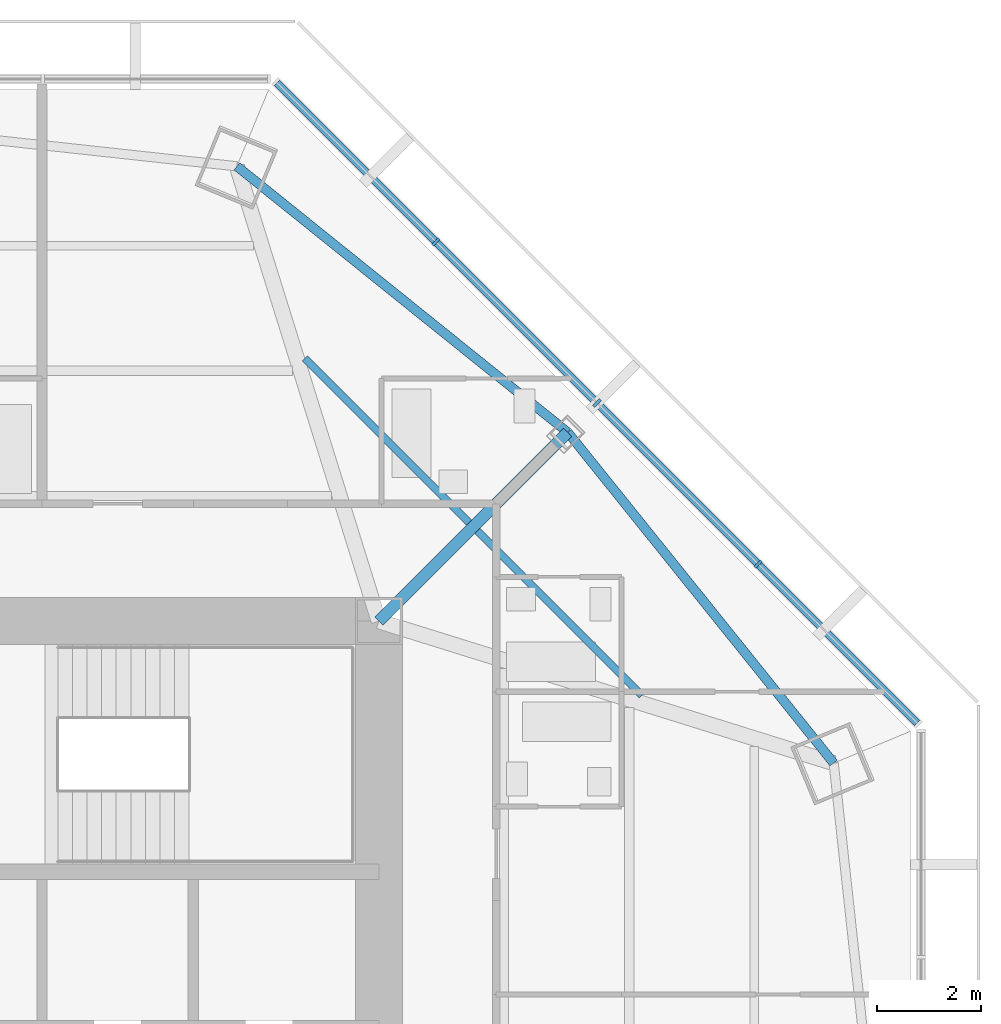
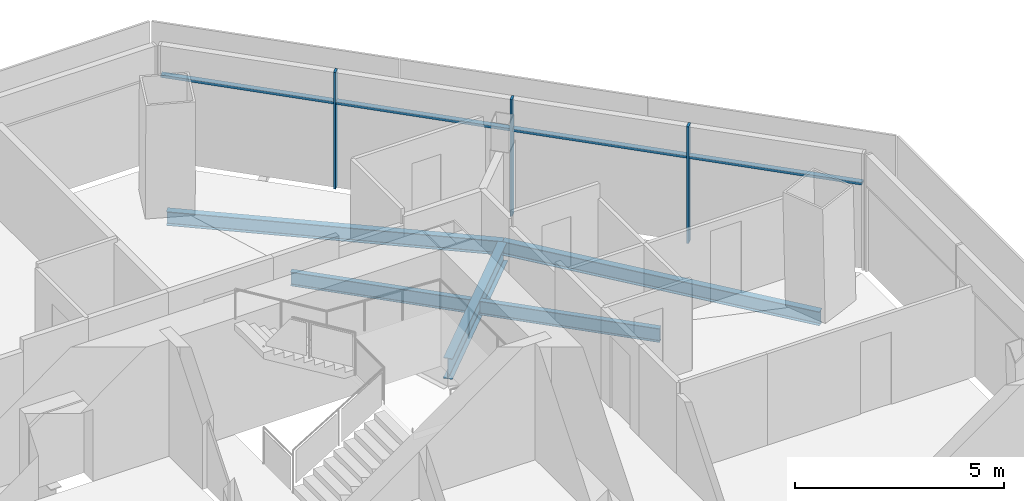
# One storey, part 6 of 14: 7 members, 5 beams, 1 element without a shape of its own.
"""IFC4 building model written with IfcOpenShell, lengths in metres."""

import ifcopenshell
import ifcopenshell.guid

model = None  # the IFC model being written
_history = None  # IfcOwnerHistory: only IFC2X3 demands one
_inside = {}  # id of a spatial element -> (the spatial element, [elements in it])
_under = {}  # id of a project, library or spatial element -> (it, [spatial elements below it])
_declared = {}  # id of a project -> (the project, [libraries it declares])
_typed = {}  # id of a type object -> (the type object, [elements of that type])
_made_of = {}  # id of a material, layer set ... -> (it, [elements and type objects made of it])


def new_model(schema):
    """Start an empty IFC model of exactly this schema.

    Asked for "IFC4X3", IfcOpenShell would pick the latest addendum, in which some entities
    have other attributes; the version numbers below select the first issue.
    IFC2X3 requires an IfcOwnerHistory on every rooted entity: one is made here for all.
    """
    global model, _history
    if schema == "IFC4X3":
        model = ifcopenshell.file(schema_version=(4, 3, 0, 0))
    else:
        model = ifcopenshell.file(schema=schema)
    _inside.clear()
    _under.clear()
    _declared.clear()
    _typed.clear()
    _made_of.clear()
    _history = None
    if model.schema == "IFC2X3":
        org = make("IfcOrganization", Name="unknown")
        user = make(
            "IfcPersonAndOrganization",
            ThePerson=make("IfcPerson", FamilyName="unknown"),
            TheOrganization=org,
        )
        app = make(
            "IfcApplication",
            ApplicationDeveloper=org,
            Version="unknown",
            ApplicationFullName="unknown",
            ApplicationIdentifier="unknown",
        )
        _history = make(
            "IfcOwnerHistory",
            OwningUser=user,
            OwningApplication=app,
            ChangeAction="ADDED",
            CreationDate=0,
        )
    return model


def make(cls, **values):
    """One entity of the class cls with the attributes given. An attribute that is None is left unset."""
    return model.create_entity(
        cls, **{name: value for name, value in values.items() if value is not None}
    )


def rooted(cls, **values):
    """An entity with a GlobalId (a new one), such as an element, a storey or a relation."""
    return make(cls, GlobalId=ifcopenshell.guid.new(), OwnerHistory=_history, **values)


def si_unit(unit_type, name, prefix=None):
    """IfcSIUnit, for example si_unit("LENGTHUNIT", "METRE", prefix="MILLI")."""
    return make("IfcSIUnit", UnitType=unit_type, Prefix=prefix, Name=name)


def assignment(units):
    """IfcUnitAssignment: the units of a project."""
    return None if units is None else make("IfcUnitAssignment", Units=units)


def point(xyz):
    """IfcCartesianPoint."""
    return None if xyz is None else make("IfcCartesianPoint", Coordinates=xyz)


def direction(xyz):
    """IfcDirection."""
    return None if xyz is None else make("IfcDirection", DirectionRatios=xyz)


def frame(location, z_axis=None, x_axis=None):
    """IfcAxis2Placement3D, a coordinate frame: its origin and axes. An axis left out is left unset."""
    return make(
        "IfcAxis2Placement3D",
        Location=point(location),
        Axis=direction(z_axis),
        RefDirection=direction(x_axis),
    )


def frame_2d(location, x_axis=None):
    """IfcAxis2Placement2D, a coordinate frame in the plane: its origin and x axis."""
    return make(
        "IfcAxis2Placement2D", Location=point(location), RefDirection=direction(x_axis)
    )


def origin():
    """The frame at (0, 0, 0) with its axes left unset."""
    return frame((0.0, 0.0, 0.0))


def origin_2d():
    """The frame at (0, 0) in the plane with its x axis left unset."""
    return frame_2d((0.0, 0.0))


def place(relative_to, where):
    """IfcLocalPlacement: puts the frame where relative to a parent placement (None: the world)."""
    return make(
        "IfcLocalPlacement", PlacementRelTo=relative_to, RelativePlacement=where
    )


def context(
    kind, dimensions, precision=None, world=None, true_north=None, identifier=None
):
    """IfcGeometricRepresentationContext, for example the 3D "Model" context."""
    return make(
        "IfcGeometricRepresentationContext",
        ContextIdentifier=identifier,
        ContextType=kind,
        CoordinateSpaceDimension=dimensions,
        Precision=precision,
        WorldCoordinateSystem=world,
        TrueNorth=true_north,
    )


def subcontext(parent, identifier, kind, view, scale=None):
    """IfcGeometricRepresentationSubContext, for example "Body" below "Model"."""
    return make(
        "IfcGeometricRepresentationSubContext",
        ContextIdentifier=identifier,
        ContextType=kind,
        ParentContext=parent,
        TargetScale=scale,
        TargetView=view,
    )


def project(units=None, contexts=None):
    """IfcProject with its units and contexts."""
    return rooted(
        "IfcProject",
        Name="project",
        RepresentationContexts=contexts,
        UnitsInContext=assignment(units),
    )


def spatial(cls, under=None, at=None, **own):
    """A site, building, storey or space (cls), placed at a placement, below another one or the project."""
    s = rooted(cls, ObjectPlacement=at, **own)
    if under is not None:
        _under.setdefault(under.id(), (under, []))[1].append(s)
    return s


def profile(cls, at=None, kind="AREA", **sizes):
    """A parametric profile (cls). Its sizes go by their IFC names, for example OverallWidth=200.0."""
    return make(cls, ProfileType=kind, Position=at, **sizes)


def rectangle(**sizes):
    """IfcRectangleProfileDef."""
    return profile("IfcRectangleProfileDef", **sizes)


def i_section(**sizes):
    """IfcIShapeProfileDef."""
    return profile("IfcIShapeProfileDef", **sizes)


def extrude(swept, where, along, depth):
    """IfcExtrudedAreaSolid: the profile swept, set in the frame where, extruded along a direction by depth."""
    return make(
        "IfcExtrudedAreaSolid",
        SweptArea=swept,
        Position=where,
        ExtrudedDirection=direction(along),
        Depth=depth,
    )


def shape(context_of_items, identifier, shape_type, items):
    """IfcShapeRepresentation: the items that make up one representation, for example the "Body"."""
    return make(
        "IfcShapeRepresentation",
        ContextOfItems=context_of_items,
        RepresentationIdentifier=identifier,
        RepresentationType=shape_type,
        Items=items,
    )


def source(mapping_origin, context_of_items, identifier, shape_type, items):
    """IfcRepresentationMap: a shape defined once, which mapped items show again and again."""
    return make(
        "IfcRepresentationMap",
        MappingOrigin=mapping_origin,
        MappedRepresentation=shape(context_of_items, identifier, shape_type, items),
    )


def transform(
    local_origin,
    x_axis=None,
    y_axis=None,
    z_axis=None,
    scale=None,
    scale2=None,
    scale3=None,
    uniform=True,
):
    """IfcCartesianTransformationOperator3D, or its non-uniform kind. x_axis, y_axis, z_axis: its Axis1, 2, 3."""
    if uniform:
        return make(
            "IfcCartesianTransformationOperator3D",
            Axis1=direction(x_axis),
            Axis2=direction(y_axis),
            LocalOrigin=point(local_origin),
            Scale=scale,
            Axis3=direction(z_axis),
        )
    return make(
        "IfcCartesianTransformationOperator3DnonUniform",
        Axis1=direction(x_axis),
        Axis2=direction(y_axis),
        LocalOrigin=point(local_origin),
        Scale=scale,
        Axis3=direction(z_axis),
        Scale2=scale2,
        Scale3=scale3,
    )


def mapped(mapping_source, mapping_target):
    """IfcMappedItem: shows the shape of a source again, moved by a transform."""
    return make(
        "IfcMappedItem", MappingSource=mapping_source, MappingTarget=mapping_target
    )


def material(Name=None, Category=None):
    """IfcMaterial."""
    return make("IfcMaterial", Name=Name, Category=Category)


def material_profile(
    of_material, cross_section, Name=None, Category=None, Priority=None
):
    """IfcMaterialProfile: a cross section and its material."""
    return make(
        "IfcMaterialProfile",
        Name=Name,
        Material=of_material,
        Profile=cross_section,
        Priority=Priority,
        Category=Category,
    )


def profile_set(profiles, Name=None, composite=None):
    """IfcMaterialProfileSet."""
    return make(
        "IfcMaterialProfileSet",
        Name=Name,
        MaterialProfiles=profiles,
        CompositeProfile=composite,
    )


def made_of(thing, what):
    """Note that an element or type object is made of a material, layer set ...; save() writes the relation."""
    if what is not None:
        _made_of.setdefault(what.id(), (what, []))[1].append(thing)
    return thing


def type_object(cls, material=None, **own):
    """A type object (cls), such as IfcWallType, which elements share."""
    return made_of(rooted(cls, **own), material)


def type_shapes(of_type, sources):
    """Give a type object the sources (RepresentationMaps) that its elements show as mapped items."""
    of_type.RepresentationMaps = sources


def element(
    cls,
    number,
    at=None,
    inside=None,
    cuts=None,
    type_object=None,
    material=None,
    context=None,
    identifier="Body",
    shape_type=None,
    held_by="IfcProductDefinitionShape",
    body=None,
    shapes=None,
    **own,
):
    """One element of the class cls, such as IfcWall. Its Tag is "e" and its number.

    at: its placement. inside: the storey or other place that contains it. cuts: it is an
    opening in that element (IfcRelVoidsElement). A single representation is given by context,
    identifier, shape_type and body (its items); several are given by shapes. held_by: the class
    of the entity that holds the representations. save() writes the other relations.
    """
    e = rooted(cls, Tag="e%d" % number, ObjectPlacement=at, **own)
    if body is not None:
        shapes = [shape(context, identifier, shape_type, body)]
    if shapes is not None:
        e.Representation = make(held_by, Representations=shapes)
    if inside is not None:
        _inside.setdefault(inside.id(), (inside, []))[1].append(e)
    if cuts is not None:
        rooted(
            "IfcRelVoidsElement", RelatingBuildingElement=cuts, RelatedOpeningElement=e
        )
    if type_object is not None:
        _typed.setdefault(type_object.id(), (type_object, []))[1].append(e)
    return made_of(e, material)


def aggregate(whole, parts):
    """IfcRelAggregates: a whole, such as a stair, and the parts it consists of."""
    return rooted("IfcRelAggregates", RelatingObject=whole, RelatedObjects=parts)


def save(model, path):
    """Write the relations noted so far, then the file.

    IfcRelAggregates (storeys below a building ...), IfcRelContainedInSpatialStructure (elements
    in a storey), IfcRelDefinesByType, IfcRelAssociatesMaterial and IfcRelDeclares: one each for
    every whole, place, type object, material and project.
    """
    for whole, parts in _under.values():
        aggregate(whole, parts)
    for where, things in _inside.values():
        rooted(
            "IfcRelContainedInSpatialStructure",
            RelatedElements=things,
            RelatingStructure=where,
        )
    for kind, things in _typed.values():
        rooted("IfcRelDefinesByType", RelatedObjects=things, RelatingType=kind)
    for what, things in _made_of.values():
        rooted("IfcRelAssociatesMaterial", RelatedObjects=things, RelatingMaterial=what)
    for by, libraries in _declared.values():
        rooted("IfcRelDeclares", RelatingContext=by, RelatedDefinitions=libraries)
    model.write(path)


model = new_model("IFC4")

# Units and contexts
model_context = context("Model", 3, precision=1e-05, world=origin(), true_north=direction((0.0, 1.0)))
body_context = subcontext(model_context, "Body", "Model", "MODEL_VIEW")
ifc_project = project(units=[si_unit("LENGTHUNIT", "METRE"), si_unit("AREAUNIT", "SQUARE_METRE"), si_unit("VOLUMEUNIT", "CUBIC_METRE"), si_unit("PLANEANGLEUNIT", "RADIAN"), si_unit("MASSUNIT", "GRAM", prefix="KILO")], contexts=[model_context])

# Site, building, storey
site_placement = place(None, origin())
site = spatial("IfcSite", under=ifc_project, at=site_placement, CompositionType="ELEMENT")
building_placement = place(site_placement, origin())
building = spatial("IfcBuilding", under=site, at=building_placement, Name="Mashrafa Tower", CompositionType="ELEMENT")
storey_placement = place(building_placement, frame((0.0, 0.0, 241.39990234375)))
storey = spatial("IfcBuildingStorey", under=building, at=storey_placement, Name="L57", CompositionType="ELEMENT", Elevation=241.39990234375)

# Beams
ifc_material_1 = material(Name="Steel ASTM A992", Category="steel")
ifc_material_profile_1 = material_profile(ifc_material_1, i_section(OverallWidth=0.140380859375, OverallDepth=0.40380859375, WebThickness=0.007080078125, FlangeThickness=0.01123046875, FilletRadius=0.01025390625, at=origin_2d()), Name="W16X31")
ifc_profile_set_1 = profile_set([ifc_material_profile_1], Name="Steel ASTM A992")
beam_type_1 = type_object("IfcBeamType", Name="Beam W16X31", PredefinedType="BEAM", material=ifc_profile_set_1)
for number, where, z_axis, x_axis, name in (
    (1, (9.382080078125, 15.8369140625, -0.40185546875), (0.707106781187, -0.707106781187, 0.0), (0.707106781187, 0.707106781187, 0.0), "Floor beam L57 021"),
    (2, (12.690185546875, 12.52880859375, -0.40185546875), (0.707106781187, -0.707106781187, 0.0), (0.707106781187, 0.707106781187, 0.0), "Floor beam L57 025"),
):
    element("IfcBeam", number, at=place(storey_placement, frame(where, z_axis=z_axis, x_axis=x_axis)), inside=storey, type_object=beam_type_1, Name=name, PredefinedType="BEAM", context=body_context, shape_type="SweptSolid", body=[
        extrude(i_section(OverallWidth=0.140380859375, OverallDepth=0.40380859375, WebThickness=0.007080078125, FlangeThickness=0.01123046875, FilletRadius=0.01025390625, at=origin_2d()), origin(), (0.0, 0.0, 1.0), 4.4501953125),
    ])
ifc_material_2 = material(Name="Steel ASTM A992", Category="steel")
ifc_material_profile_2 = material_profile(ifc_material_2, i_section(OverallWidth=0.177734375, OverallDepth=0.406494140625, WebThickness=0.0078125, FlangeThickness=0.012939453125, FilletRadius=0.01025390625, at=origin_2d()), Name="W16X40")
ifc_profile_set_2 = profile_set([ifc_material_profile_2], Name="Steel ASTM A992")
beam_type_2 = type_object("IfcBeamType", Name="Beam W16X40", PredefinedType="BEAM", material=ifc_profile_set_2)
for number, where, z_axis, x_axis, name in (
    (3, (14.4189453125, 14.4189453125, -0.403076171875), (-0.779348929905, 0.626590173444, 0.0), (-0.626590173444, -0.779348929905, 0.0), "Spandrel beam L57 061"),
    (4, (19.51318359375, 8.082763671875, -0.403076171875), (-0.626590173444, 0.779348929905, 0.0), (-0.779348929905, -0.626590173444, 0.0), "Spandrel beam L57 063"),
):
    element("IfcBeam", number, at=place(storey_placement, frame(where, z_axis=z_axis, x_axis=x_axis)), inside=storey, type_object=beam_type_2, Name=name, PredefinedType="BEAM", context=body_context, shape_type="SweptSolid", body=[
        extrude(i_section(OverallWidth=0.177734375, OverallDepth=0.406494140625, WebThickness=0.0078125, FlangeThickness=0.012939453125, FilletRadius=0.01025390625, at=origin_2d()), origin(), (0.0, 0.0, 1.0), 8.130126953125),
    ])
ifc_material_3 = material(Name="Steel ASTM A992", Category="steel")
ifc_material_profile_3 = material_profile(ifc_material_3, i_section(OverallWidth=0.227783203125, OverallDepth=0.60205078125, WebThickness=0.010498046875, FlangeThickness=0.014892578125, FilletRadius=0.012939453125, at=origin_2d()), Name="W24X68")
ifc_profile_set_3 = profile_set([ifc_material_profile_3], Name="Steel ASTM A992")
beam_type_3 = type_object("IfcBeamType", Name="Beam W24X68", PredefinedType="BEAM", material=ifc_profile_set_3)
beam_placement = place(storey_placement, frame((10.800048828125, 10.800048828125, -0.5009765625), z_axis=(0.707106781187, 0.707106781187, 0.0), x_axis=(-0.707106781187, 0.707106781187, 0.0)))
element("IfcBeam", 5, at=beam_placement, inside=storey, type_object=beam_type_3, Name="Radial girder L57 047", PredefinedType="BEAM", context=body_context, shape_type="SweptSolid", body=[
    extrude(i_section(OverallWidth=0.227783203125, OverallDepth=0.60205078125, WebThickness=0.010498046875, FlangeThickness=0.014892578125, FilletRadius=0.012939453125, at=origin_2d()), origin(), (0.0, 0.0, 1.0), 5.117919921875),
])

# Curtain wall, members
ifc_material_4 = material(Name="Unitised aluminium curtain wall", Category="aluminium")
curtain_wall_type = type_object("IfcCurtainWallType", Name="Apartment curtain wall, zone 3 CW-C 180 deep", PredefinedType="NOTDEFINED", material=ifc_material_4)
curtain_wall_placement = place(storey_placement, origin())
curtain_wall = element("IfcCurtainWall", 6, at=curtain_wall_placement, inside=storey, type_object=curtain_wall_type, Name="Apartment curtain wall, zone 3 L57 north-east", PredefinedType="NOTDEFINED")
ifc_material_5 = material(Name="Extruded aluminium mullion", Category="aluminium")
ifc_material_profile_4 = material_profile(ifc_material_5, rectangle(XDim=0.179931640625, YDim=0.06005859375, at=origin_2d()), Name="Mullion 60x180")
ifc_profile_set_4 = profile_set([ifc_material_profile_4], Name="Extruded aluminium mullion")
member_type_1 = type_object("IfcMemberType", Name="Mullion CW-C 60 x 180", PredefinedType="MULLION", material=ifc_profile_set_4)
shared_shape_1 = source(origin(), body_context, "Body", "SweptSolid", [
    extrude(rectangle(XDim=0.179931640625, YDim=0.06005859375, at=origin_2d()), origin(), (0.0, 0.0, 1.0), 3.400146484375),
])
type_shapes(member_type_1, [shared_shape_1])
member_1_placement = place(storey_placement, frame((18.066650390625, 11.894775390625, 0.0), z_axis=(0.0, 0.0, 1.0), x_axis=(-0.707106781187, -0.707106781187, 0.0)))
member_1 = element("IfcMember", 7, at=member_1_placement, type_object=member_type_1, Name="CW-C mullion 2", PredefinedType="MULLION", context=body_context, shape_type="MappedRepresentation", body=[
    mapped(shared_shape_1, transform((0.0, 0.0, 0.0))),
])
member_2_placement = place(storey_placement, frame((14.980712890625, 14.980712890625, 0.0), z_axis=(0.0, 0.0, 1.0), x_axis=(-0.707106781187, -0.707106781187, 0.0)))
member_2 = element("IfcMember", 8, at=member_2_placement, type_object=member_type_1, Name="CW-C mullion 3", PredefinedType="MULLION", context=body_context, shape_type="MappedRepresentation", body=[
    mapped(shared_shape_1, transform((0.0, 0.0, 0.0))),
])
member_3_placement = place(storey_placement, frame((11.894775390625, 18.066650390625, 0.0), z_axis=(0.0, 0.0, 1.0), x_axis=(-0.707106781187, -0.707106781187, 0.0)))
member_3 = element("IfcMember", 9, at=member_3_placement, type_object=member_type_1, Name="CW-C mullion 4", PredefinedType="MULLION", context=body_context, shape_type="MappedRepresentation", body=[
    mapped(shared_shape_1, transform((0.0, 0.0, 0.0))),
])
ifc_material_6 = material(Name="Extruded aluminium transom", Category="aluminium")
ifc_material_profile_5 = material_profile(ifc_material_6, rectangle(XDim=0.14404296875, YDim=0.074951171875, at=origin_2d()), Name="Transom 75x144")
ifc_profile_set_5 = profile_set([ifc_material_profile_5], Name="Extruded aluminium transom")
member_type_2 = type_object("IfcMemberType", Name="Transom CW-C 75 x 144", PredefinedType="MULLION", material=ifc_profile_set_5)
shared_shape_2 = source(origin(), body_context, "Body", "SweptSolid", [
    extrude(rectangle(XDim=0.14404296875, YDim=0.074951171875, at=origin_2d()), origin(), (0.0, 0.0, 1.0), 4.274169921875),
])
member_4_placement = place(storey_placement, frame((21.110107421875, 8.851318359375, 2.5), z_axis=(-0.707135340195, 0.707078221024, 0.0), x_axis=(-0.707078221024, -0.707135340195, 0.0)))
member_4 = element("IfcMember", 10, at=member_4_placement, type_object=member_type_2, Name="CW-C transom 1", PredefinedType="MULLION", context=body_context, shape_type="MappedRepresentation", body=[
    mapped(shared_shape_2, transform((0.0, 0.0, 0.0))),
])
member_5_placement = place(storey_placement, frame((11.87353515625, 18.087646484375, 2.5), z_axis=(-0.707078221024, 0.707135340195, 0.0), x_axis=(-0.707135340195, -0.707078221024, 0.0)))
member_5 = element("IfcMember", 11, at=member_5_placement, type_object=member_type_2, Name="CW-C transom 4", PredefinedType="MULLION", context=body_context, shape_type="MappedRepresentation", body=[
    mapped(shared_shape_2, transform((0.0, 0.0, 0.0))),
])
shared_shape_3 = source(origin(), body_context, "Body", "SweptSolid", [
    extrude(rectangle(XDim=0.14404296875, YDim=0.074951171875, at=origin_2d()), origin(), (0.0, 0.0, 1.0), 4.30419921875),
])
type_shapes(member_type_2, [shared_shape_2, shared_shape_3])
member_6_placement = place(storey_placement, frame((18.04541015625, 11.916015625, 2.5), z_axis=(-0.707106781187, 0.707106781187, 0.0), x_axis=(-0.707106781187, -0.707106781187, 0.0)))
member_6 = element("IfcMember", 12, at=member_6_placement, type_object=member_type_2, Name="CW-C transom 2", PredefinedType="MULLION", context=body_context, shape_type="MappedRepresentation", body=[
    mapped(shared_shape_3, transform((0.0, 0.0, 0.0))),
])
member_7_placement = place(storey_placement, frame((14.95947265625, 15.001953125, 2.5), z_axis=(-0.707106781187, 0.707106781187, 0.0), x_axis=(-0.707106781187, -0.707106781187, 0.0)))
member_7 = element("IfcMember", 13, at=member_7_placement, type_object=member_type_2, Name="CW-C transom 3", PredefinedType="MULLION", context=body_context, shape_type="MappedRepresentation", body=[
    mapped(shared_shape_3, transform((0.0, 0.0, 0.0))),
])
aggregate(curtain_wall, [member_1, member_2, member_3, member_4, member_6, member_7, member_5])

save(model, "model.ifc")
